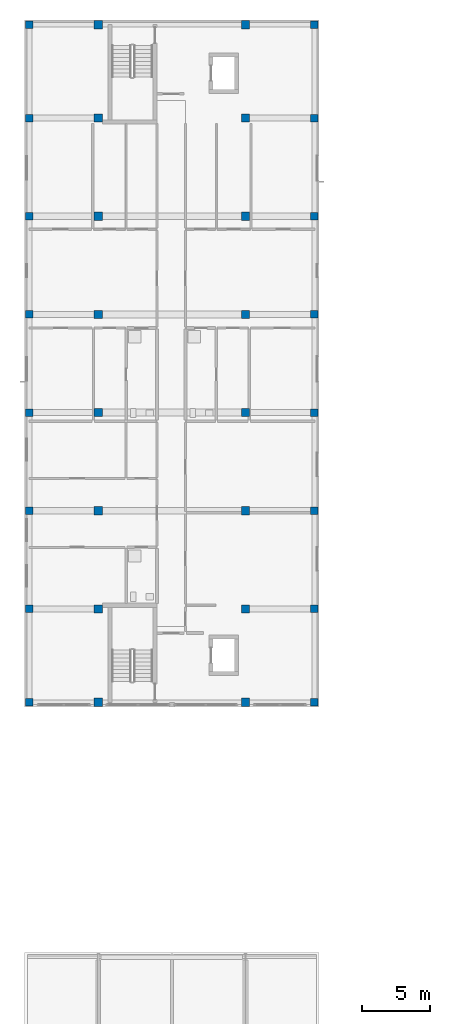
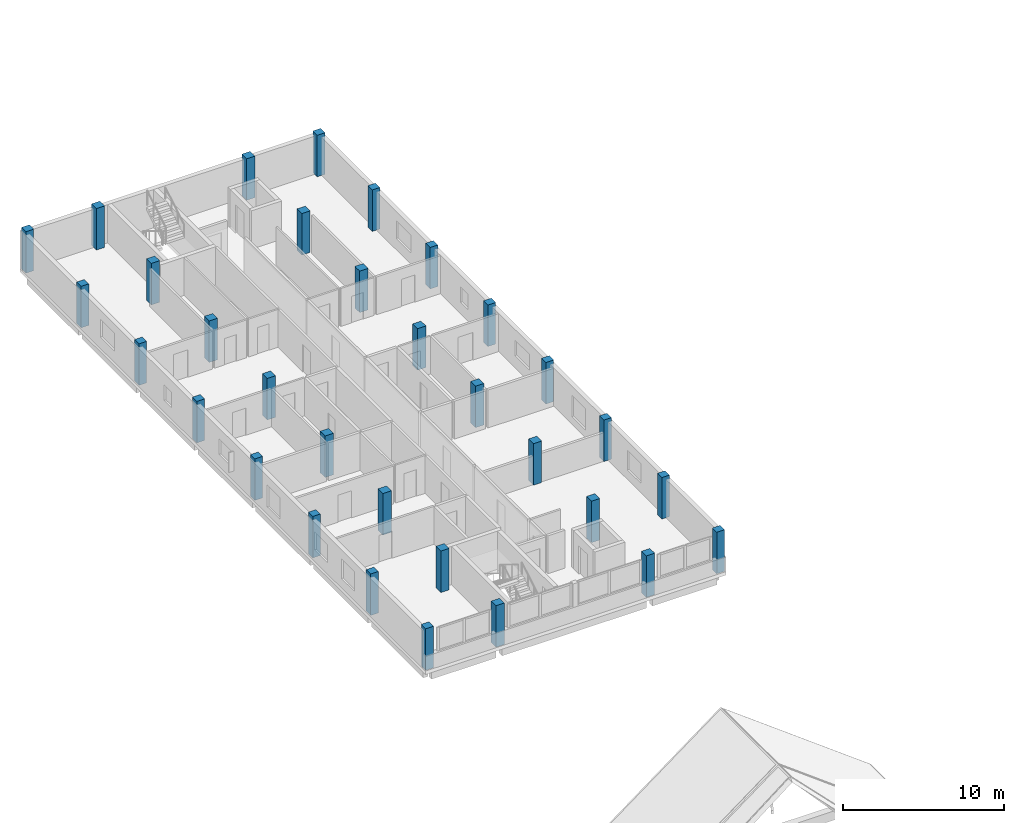
# One storey, part 1 of 35: 32 columns.
"""IFC4 building model written with IfcOpenShell, lengths in metres."""

from ifc_helpers import new_model, si_unit, derived_unit, direction, frame, origin, origin_2d, place, context, subcontext, project, spatial, rectangle, extrude, material, material_profile, profile_set, type_object, element, save


model = new_model("IFC4")

# Units and contexts
model_context = context("Model", 3, precision=1e-05, world=origin(), true_north=direction((0.0, 1.0)))
body_context = subcontext(model_context, "Body", "Model", "MODEL_VIEW")
ifc_project = project(units=[si_unit("LENGTHUNIT", "METRE"), si_unit("AREAUNIT", "SQUARE_METRE"), si_unit("VOLUMEUNIT", "CUBIC_METRE"), si_unit("PLANEANGLEUNIT", "RADIAN"), si_unit("MASSUNIT", "GRAM", prefix="KILO"), derived_unit("THERMALTRANSMITTANCEUNIT", [(si_unit("MASSUNIT", "GRAM", prefix="KILO"), 1), (si_unit("TIMEUNIT", "SECOND"), -3), (si_unit("THERMODYNAMICTEMPERATUREUNIT", "KELVIN"), -1)])], contexts=[model_context])

# Site, building, storey
site_placement = place(None, origin())
site = spatial("IfcSite", under=ifc_project, at=site_placement, CompositionType="ELEMENT")
building_placement = place(site_placement, origin())
building = spatial("IfcBuilding", under=site, at=building_placement, Name="Ochrekiln Boulevard Commons", CompositionType="ELEMENT")
storey_placement = place(building_placement, frame((0.0, 0.0, 30.97509765625)))
storey = spatial("IfcBuildingStorey", under=building, at=storey_placement, Name="L09", CompositionType="ELEMENT", Elevation=30.97509765625)

# Columns
ifc_material_1 = material(Name="Concrete C35/45", Category="concrete")
ifc_material_profile_1 = material_profile(ifc_material_1, rectangle(XDim=0.550048828125, YDim=0.550048828125, at=origin_2d()), Name="RC-COL-550x550")
ifc_profile_set_1 = profile_set([ifc_material_profile_1], Name="Concrete C35/45")
column_type_1 = type_object("IfcColumnType", Name="COL-RC-550", PredefinedType="COLUMN", material=ifc_profile_set_1)
for number, where, z_axis, x_axis, name in (
    (1, (0.35009765625, 68.75, 0.0), (0.0, 0.0, 1.0), (1.0, 0.0, 0.0), "Block A L09 Column C-550 (1)"),
    (2, (0.35009765625, 75.60009765625, 0.0), (0.0, 0.0, 1.0), (1.0, 0.0, 0.0), "Block A L09 Column C-550 (2)"),
    (3, (0.35009765625, 82.800048828125, 0.0), (0.0, 0.0, 1.0), (1.0, 0.0, 0.0), "Block A L09 Column C-550 (3)"),
    (4, (0.35009765625, 90.0, 0.0), (0.0, 0.0, 1.0), (1.0, 0.0, 0.0), "Block A L09 Column C-550 (4)"),
    (5, (0.35009765625, 97.199951171875, 0.0), (0.0, 0.0, 1.0), (1.0, 0.0, 0.0), "Block A L09 Column C-550 (5)"),
    (6, (0.35009765625, 104.39990234375, 0.0), (0.0, 0.0, 1.0), (1.0, 0.0, 0.0), "Block A L09 Column C-550 (6)"),
    (7, (0.35009765625, 111.60009765625, 0.0), (0.0, 0.0, 1.0), (1.0, 0.0, 0.0), "Block A L09 Column C-550 (7)"),
    (8, (0.35009765625, 118.449951171875, 0.0), (0.0, 0.0, 1.0), (1.0, 0.0, 0.0), "Block A L09 Column C-550 (8)"),
    (9, (21.25, 68.75, 0.0), (0.0, 0.0, 1.0), (1.0, 0.0, 0.0), "Block A L09 Column C-550 (25)"),
    (10, (21.25, 75.60009765625, 0.0), (0.0, 0.0, 1.0), (1.0, 0.0, 0.0), "Block A L09 Column C-550 (26)"),
    (11, (21.25, 82.800048828125, 0.0), (0.0, 0.0, 1.0), (1.0, 0.0, 0.0), "Block A L09 Column C-550 (27)"),
    (12, (21.25, 90.0, 0.0), (0.0, 0.0, 1.0), (1.0, 0.0, 0.0), "Block A L09 Column C-550 (28)"),
    (13, (21.25, 97.199951171875, 0.0), (0.0, 0.0, 1.0), (1.0, 0.0, 0.0), "Block A L09 Column C-550 (29)"),
    (14, (21.25, 104.39990234375, 0.0), (0.0, 0.0, 1.0), (1.0, 0.0, 0.0), "Block A L09 Column C-550 (30)"),
    (15, (21.25, 111.60009765625, 0.0), (0.0, 0.0, 1.0), (1.0, 0.0, 0.0), "Block A L09 Column C-550 (31)"),
    (16, (21.25, 118.449951171875, 0.0), (0.0, 0.0, 1.0), (1.0, 0.0, 0.0), "Block A L09 Column C-550 (32)"),
):
    element("IfcColumn", number, at=place(storey_placement, frame(where, z_axis=z_axis, x_axis=x_axis)), inside=storey, type_object=column_type_1, Name=name, PredefinedType="COLUMN", context=body_context, shape_type="SweptSolid", body=[
        extrude(rectangle(XDim=0.550048828125, YDim=0.550048828125, at=origin_2d()), origin(), (0.0, 0.0, 1.0), 3.14990234375),
    ])
ifc_material_2 = material(Name="Concrete C40/50", Category="concrete")
ifc_material_profile_2 = material_profile(ifc_material_2, rectangle(XDim=0.60009765625, YDim=0.60009765625, at=origin_2d()), Name="RC-COL-600x600")
ifc_profile_set_2 = profile_set([ifc_material_profile_2], Name="Concrete C40/50")
column_type_2 = type_object("IfcColumnType", Name="COL-RC-600", PredefinedType="COLUMN", material=ifc_profile_set_2)
for number, where, z_axis, x_axis, name in (
    (17, (5.39990234375, 68.75, 0.0), (0.0, 0.0, 1.0), (1.0, 0.0, 0.0), "Block A L09 Column C-600 (9)"),
    (18, (5.39990234375, 75.60009765625, 0.0), (0.0, 0.0, 1.0), (1.0, 0.0, 0.0), "Block A L09 Column C-600 (10)"),
    (19, (5.39990234375, 82.800048828125, 0.0), (0.0, 0.0, 1.0), (1.0, 0.0, 0.0), "Block A L09 Column C-600 (11)"),
    (20, (5.39990234375, 90.0, 0.0), (0.0, 0.0, 1.0), (1.0, 0.0, 0.0), "Block A L09 Column C-600 (12)"),
    (21, (5.39990234375, 97.199951171875, 0.0), (0.0, 0.0, 1.0), (1.0, 0.0, 0.0), "Block A L09 Column C-600 (13)"),
    (22, (5.39990234375, 104.39990234375, 0.0), (0.0, 0.0, 1.0), (1.0, 0.0, 0.0), "Block A L09 Column C-600 (14)"),
    (23, (5.39990234375, 111.60009765625, 0.0), (0.0, 0.0, 1.0), (1.0, 0.0, 0.0), "Block A L09 Column C-600 (15)"),
    (24, (5.39990234375, 118.449951171875, 0.0), (0.0, 0.0, 1.0), (1.0, 0.0, 0.0), "Block A L09 Column C-600 (16)"),
    (25, (16.199951171875, 68.75, 0.0), (0.0, 0.0, 1.0), (1.0, 0.0, 0.0), "Block A L09 Column C-600 (17)"),
    (26, (16.199951171875, 75.60009765625, 0.0), (0.0, 0.0, 1.0), (1.0, 0.0, 0.0), "Block A L09 Column C-600 (18)"),
    (27, (16.199951171875, 82.800048828125, 0.0), (0.0, 0.0, 1.0), (1.0, 0.0, 0.0), "Block A L09 Column C-600 (19)"),
    (28, (16.199951171875, 90.0, 0.0), (0.0, 0.0, 1.0), (1.0, 0.0, 0.0), "Block A L09 Column C-600 (20)"),
    (29, (16.199951171875, 97.199951171875, 0.0), (0.0, 0.0, 1.0), (1.0, 0.0, 0.0), "Block A L09 Column C-600 (21)"),
    (30, (16.199951171875, 104.39990234375, 0.0), (0.0, 0.0, 1.0), (1.0, 0.0, 0.0), "Block A L09 Column C-600 (22)"),
    (31, (16.199951171875, 111.60009765625, 0.0), (0.0, 0.0, 1.0), (1.0, 0.0, 0.0), "Block A L09 Column C-600 (23)"),
    (32, (16.199951171875, 118.449951171875, 0.0), (0.0, 0.0, 1.0), (1.0, 0.0, 0.0), "Block A L09 Column C-600 (24)"),
):
    element("IfcColumn", number, at=place(storey_placement, frame(where, z_axis=z_axis, x_axis=x_axis)), inside=storey, type_object=column_type_2, Name=name, PredefinedType="COLUMN", context=body_context, shape_type="SweptSolid", body=[
        extrude(rectangle(XDim=0.60009765625, YDim=0.60009765625, at=origin_2d()), origin(), (0.0, 0.0, 1.0), 3.14990234375),
    ])

save(model, "model.ifc")
